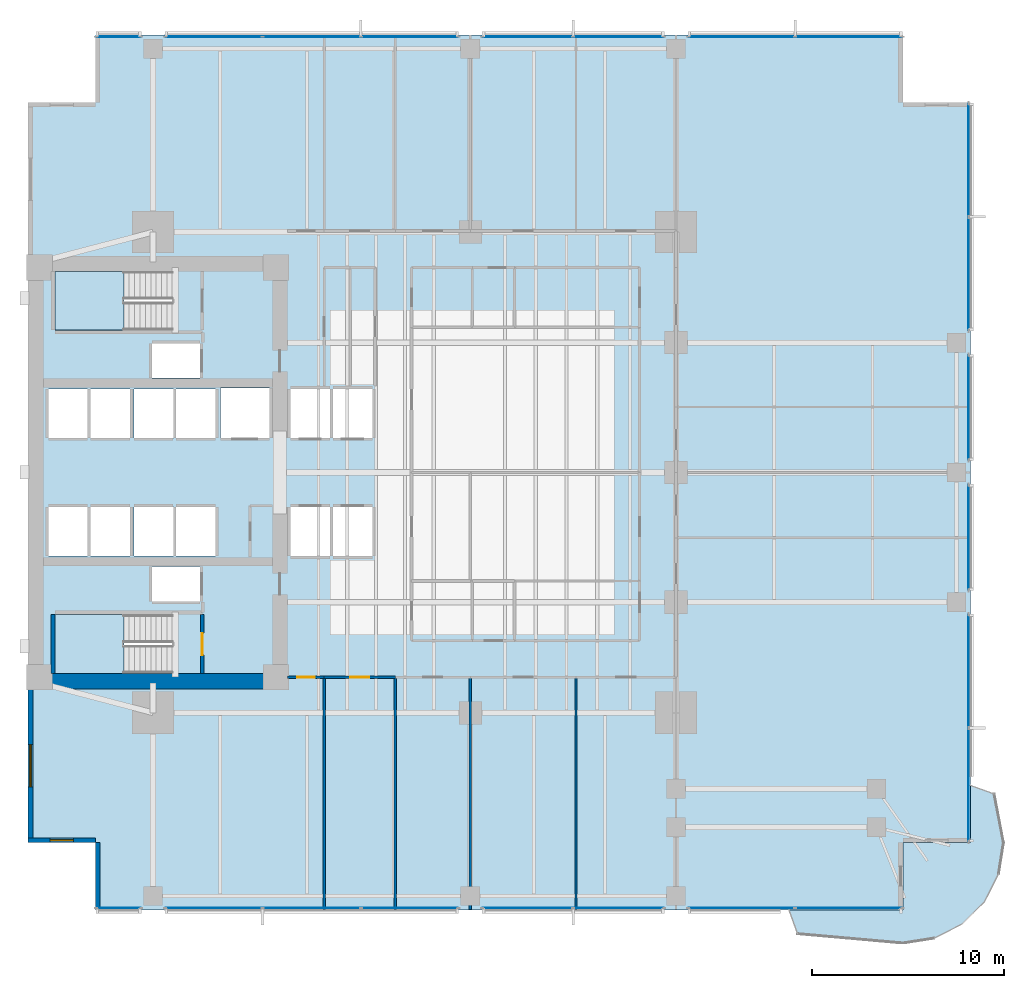
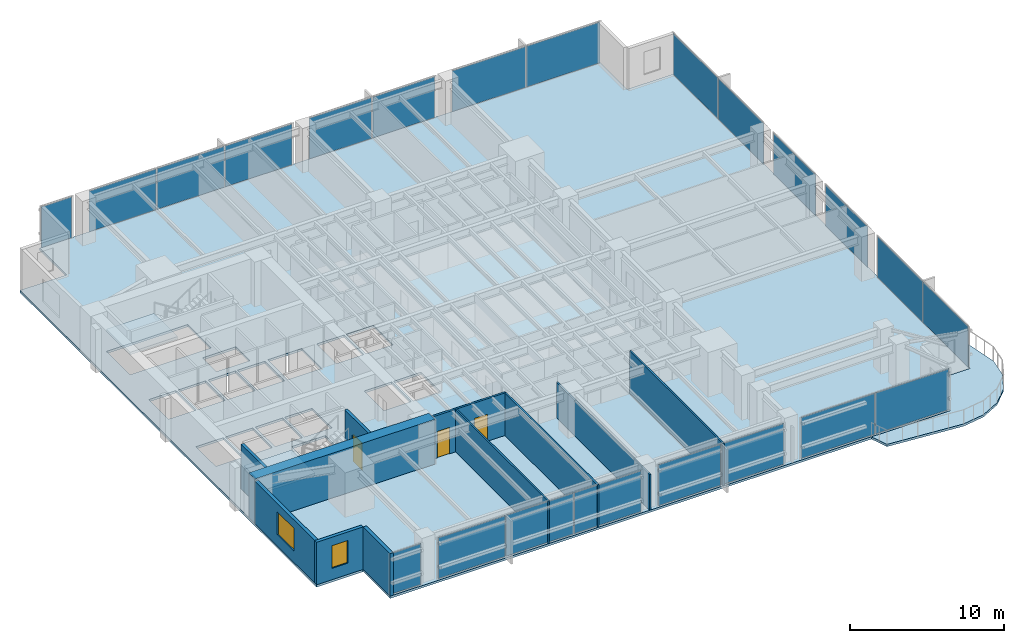
# One storey, part 7 of 15: 22 plates, 12 walls, 4 slabs, 3 doors, 2 windows, 5 openings, 14 elements without a shape of their own.
"""IFC4 building model written with IfcOpenShell, lengths in metres."""

import ifcopenshell
import ifcopenshell.guid

model = None  # the IFC model being written
_history = None  # IfcOwnerHistory: only IFC2X3 demands one
_inside = {}  # id of a spatial element -> (the spatial element, [elements in it])
_under = {}  # id of a project, library or spatial element -> (it, [spatial elements below it])
_declared = {}  # id of a project -> (the project, [libraries it declares])
_typed = {}  # id of a type object -> (the type object, [elements of that type])
_made_of = {}  # id of a material, layer set ... -> (it, [elements and type objects made of it])


def new_model(schema):
    """Start an empty IFC model of exactly this schema.

    Asked for "IFC4X3", IfcOpenShell would pick the latest addendum, in which some entities
    have other attributes; the version numbers below select the first issue.
    IFC2X3 requires an IfcOwnerHistory on every rooted entity: one is made here for all.
    """
    global model, _history
    if schema == "IFC4X3":
        model = ifcopenshell.file(schema_version=(4, 3, 0, 0))
    else:
        model = ifcopenshell.file(schema=schema)
    _inside.clear()
    _under.clear()
    _declared.clear()
    _typed.clear()
    _made_of.clear()
    _history = None
    if model.schema == "IFC2X3":
        org = make("IfcOrganization", Name="unknown")
        user = make(
            "IfcPersonAndOrganization",
            ThePerson=make("IfcPerson", FamilyName="unknown"),
            TheOrganization=org,
        )
        app = make(
            "IfcApplication",
            ApplicationDeveloper=org,
            Version="unknown",
            ApplicationFullName="unknown",
            ApplicationIdentifier="unknown",
        )
        _history = make(
            "IfcOwnerHistory",
            OwningUser=user,
            OwningApplication=app,
            ChangeAction="ADDED",
            CreationDate=0,
        )
    return model


def make(cls, **values):
    """One entity of the class cls with the attributes given. An attribute that is None is left unset."""
    return model.create_entity(
        cls, **{name: value for name, value in values.items() if value is not None}
    )


def rooted(cls, **values):
    """An entity with a GlobalId (a new one), such as an element, a storey or a relation."""
    return make(cls, GlobalId=ifcopenshell.guid.new(), OwnerHistory=_history, **values)


def si_unit(unit_type, name, prefix=None):
    """IfcSIUnit, for example si_unit("LENGTHUNIT", "METRE", prefix="MILLI")."""
    return make("IfcSIUnit", UnitType=unit_type, Prefix=prefix, Name=name)


def assignment(units):
    """IfcUnitAssignment: the units of a project."""
    return None if units is None else make("IfcUnitAssignment", Units=units)


def point(xyz):
    """IfcCartesianPoint."""
    return None if xyz is None else make("IfcCartesianPoint", Coordinates=xyz)


def direction(xyz):
    """IfcDirection."""
    return None if xyz is None else make("IfcDirection", DirectionRatios=xyz)


def frame(location, z_axis=None, x_axis=None):
    """IfcAxis2Placement3D, a coordinate frame: its origin and axes. An axis left out is left unset."""
    return make(
        "IfcAxis2Placement3D",
        Location=point(location),
        Axis=direction(z_axis),
        RefDirection=direction(x_axis),
    )


def frame_2d(location, x_axis=None):
    """IfcAxis2Placement2D, a coordinate frame in the plane: its origin and x axis."""
    return make(
        "IfcAxis2Placement2D", Location=point(location), RefDirection=direction(x_axis)
    )


def origin():
    """The frame at (0, 0, 0) with its axes left unset."""
    return frame((0.0, 0.0, 0.0))


def origin_2d():
    """The frame at (0, 0) in the plane with its x axis left unset."""
    return frame_2d((0.0, 0.0))


def place(relative_to, where):
    """IfcLocalPlacement: puts the frame where relative to a parent placement (None: the world)."""
    return make(
        "IfcLocalPlacement", PlacementRelTo=relative_to, RelativePlacement=where
    )


def context(
    kind, dimensions, precision=None, world=None, true_north=None, identifier=None
):
    """IfcGeometricRepresentationContext, for example the 3D "Model" context."""
    return make(
        "IfcGeometricRepresentationContext",
        ContextIdentifier=identifier,
        ContextType=kind,
        CoordinateSpaceDimension=dimensions,
        Precision=precision,
        WorldCoordinateSystem=world,
        TrueNorth=true_north,
    )


def subcontext(parent, identifier, kind, view, scale=None):
    """IfcGeometricRepresentationSubContext, for example "Body" below "Model"."""
    return make(
        "IfcGeometricRepresentationSubContext",
        ContextIdentifier=identifier,
        ContextType=kind,
        ParentContext=parent,
        TargetScale=scale,
        TargetView=view,
    )


def project(units=None, contexts=None):
    """IfcProject with its units and contexts."""
    return rooted(
        "IfcProject",
        Name="project",
        RepresentationContexts=contexts,
        UnitsInContext=assignment(units),
    )


def spatial(cls, under=None, at=None, **own):
    """A site, building, storey or space (cls), placed at a placement, below another one or the project."""
    s = rooted(cls, ObjectPlacement=at, **own)
    if under is not None:
        _under.setdefault(under.id(), (under, []))[1].append(s)
    return s


def polyline(points):
    """IfcPolyline through the points."""
    return make("IfcPolyline", Points=[point(p) for p in points])


def profile(cls, at=None, kind="AREA", **sizes):
    """A parametric profile (cls). Its sizes go by their IFC names, for example OverallWidth=200.0."""
    return make(cls, ProfileType=kind, Position=at, **sizes)


def rectangle(**sizes):
    """IfcRectangleProfileDef."""
    return profile("IfcRectangleProfileDef", **sizes)


def outline(outer, holes=None, kind="AREA"):
    """IfcArbitraryClosedProfileDef: a profile drawn as a closed curve; with holes, ...WithVoids."""
    if holes is None:
        return make("IfcArbitraryClosedProfileDef", ProfileType=kind, OuterCurve=outer)
    return make(
        "IfcArbitraryProfileDefWithVoids",
        ProfileType=kind,
        OuterCurve=outer,
        InnerCurves=holes,
    )


def extrude(swept, where, along, depth):
    """IfcExtrudedAreaSolid: the profile swept, set in the frame where, extruded along a direction by depth."""
    return make(
        "IfcExtrudedAreaSolid",
        SweptArea=swept,
        Position=where,
        ExtrudedDirection=direction(along),
        Depth=depth,
    )


def shape(context_of_items, identifier, shape_type, items):
    """IfcShapeRepresentation: the items that make up one representation, for example the "Body"."""
    return make(
        "IfcShapeRepresentation",
        ContextOfItems=context_of_items,
        RepresentationIdentifier=identifier,
        RepresentationType=shape_type,
        Items=items,
    )


def material(Name=None, Category=None):
    """IfcMaterial."""
    return make("IfcMaterial", Name=Name, Category=Category)


def layer(
    of_material, thickness, ventilated=None, Name=None, Category=None, Priority=None
):
    """IfcMaterialLayer: one layer of a wall or slab, of a material (None: an air gap)."""
    return make(
        "IfcMaterialLayer",
        Material=of_material,
        LayerThickness=thickness,
        IsVentilated=ventilated,
        Name=Name,
        Category=Category,
        Priority=Priority,
    )


def layer_set(layers, Name=None):
    """IfcMaterialLayerSet."""
    return make("IfcMaterialLayerSet", MaterialLayers=layers, LayerSetName=Name)


def made_of(thing, what):
    """Note that an element or type object is made of a material, layer set ...; save() writes the relation."""
    if what is not None:
        _made_of.setdefault(what.id(), (what, []))[1].append(thing)
    return thing


def type_object(cls, material=None, **own):
    """A type object (cls), such as IfcWallType, which elements share."""
    return made_of(rooted(cls, **own), material)


def element(
    cls,
    number,
    at=None,
    inside=None,
    cuts=None,
    type_object=None,
    material=None,
    context=None,
    identifier="Body",
    shape_type=None,
    held_by="IfcProductDefinitionShape",
    body=None,
    shapes=None,
    **own,
):
    """One element of the class cls, such as IfcWall. Its Tag is "e" and its number.

    at: its placement. inside: the storey or other place that contains it. cuts: it is an
    opening in that element (IfcRelVoidsElement). A single representation is given by context,
    identifier, shape_type and body (its items); several are given by shapes. held_by: the class
    of the entity that holds the representations. save() writes the other relations.
    """
    e = rooted(cls, Tag="e%d" % number, ObjectPlacement=at, **own)
    if body is not None:
        shapes = [shape(context, identifier, shape_type, body)]
    if shapes is not None:
        e.Representation = make(held_by, Representations=shapes)
    if inside is not None:
        _inside.setdefault(inside.id(), (inside, []))[1].append(e)
    if cuts is not None:
        rooted(
            "IfcRelVoidsElement", RelatingBuildingElement=cuts, RelatedOpeningElement=e
        )
    if type_object is not None:
        _typed.setdefault(type_object.id(), (type_object, []))[1].append(e)
    return made_of(e, material)


def fill(opening, filler):
    """IfcRelFillsElement: the door or window that sits in an opening."""
    return rooted(
        "IfcRelFillsElement",
        RelatingOpeningElement=opening,
        RelatedBuildingElement=filler,
    )


def aggregate(whole, parts):
    """IfcRelAggregates: a whole, such as a stair, and the parts it consists of."""
    return rooted("IfcRelAggregates", RelatingObject=whole, RelatedObjects=parts)


def save(model, path):
    """Write the relations noted so far, then the file.

    IfcRelAggregates (storeys below a building ...), IfcRelContainedInSpatialStructure (elements
    in a storey), IfcRelDefinesByType, IfcRelAssociatesMaterial and IfcRelDeclares: one each for
    every whole, place, type object, material and project.
    """
    for whole, parts in _under.values():
        aggregate(whole, parts)
    for where, things in _inside.values():
        rooted(
            "IfcRelContainedInSpatialStructure",
            RelatedElements=things,
            RelatingStructure=where,
        )
    for kind, things in _typed.values():
        rooted("IfcRelDefinesByType", RelatedObjects=things, RelatingType=kind)
    for what, things in _made_of.values():
        rooted("IfcRelAssociatesMaterial", RelatedObjects=things, RelatingMaterial=what)
    for by, libraries in _declared.values():
        rooted("IfcRelDeclares", RelatingContext=by, RelatedDefinitions=libraries)
    model.write(path)


model = new_model("IFC4")

# Units and contexts
model_context = context("Model", 3, precision=1e-05, world=origin(), true_north=direction((0.0, 1.0)))
body_context = subcontext(model_context, "Body", "Model", "MODEL_VIEW")
ifc_project = project(units=[si_unit("LENGTHUNIT", "METRE"), si_unit("AREAUNIT", "SQUARE_METRE"), si_unit("VOLUMEUNIT", "CUBIC_METRE"), si_unit("PLANEANGLEUNIT", "RADIAN"), si_unit("MASSUNIT", "GRAM", prefix="KILO")], contexts=[model_context])

# Site, building, storey
site_placement = place(None, origin())
site = spatial("IfcSite", under=ifc_project, at=site_placement, CompositionType="ELEMENT")
building_placement = place(site_placement, origin())
building = spatial("IfcBuilding", under=site, at=building_placement, Name="Kinhvarn Gate Tower", CompositionType="ELEMENT")
storey_placement = place(building_placement, frame((0.0, 0.0, 57.550048828125)))
storey = spatial("IfcBuildingStorey", under=building, at=storey_placement, Name="L14", CompositionType="ELEMENT", Elevation=57.550048828125)

# Curtain wall, plate
ifc_material_1 = material(Name="Anodised aluminium AW-6063", Category="aluminium")
ifc_layer_1 = layer(ifc_material_1, 0.179931640625)
ifc_layer_set_1 = layer_set([ifc_layer_1], Name="Anodised aluminium AW-6063")
curtain_wall_type = type_object("IfcCurtainWallType", Name="CW-SYS-2", PredefinedType="NOTDEFINED", material=ifc_layer_set_1)
curtain_wall_1_placement = place(storey_placement, origin())
curtain_wall_1 = element("IfcCurtainWall", 1, at=curtain_wall_1_placement, inside=storey, type_object=curtain_wall_type, Name="Curtain Wall CW2 (L14)", PredefinedType="NOTDEFINED")
ifc_material_2 = material(Name="Clear low-e double glazing", Category="glass")
ifc_layer_2 = layer(ifc_material_2, 0.031982421875)
ifc_layer_set_2 = layer_set([ifc_layer_2], Name="Clear low-e double glazing")
plate_type = type_object("IfcPlateType", Name="CW-PNL-VIS", PredefinedType="CURTAIN_PANEL", material=ifc_layer_set_2)
plate_1_placement = place(storey_placement, frame((9.2099609375, 2.590087890625, 0.070068359375), z_axis=(0.0, 0.0, 1.0), x_axis=(1.0, 0.0, 0.0)))
plate_1 = element("IfcPlate", 2, at=plate_1_placement, type_object=plate_type, Name="CW2 panel 1.1", PredefinedType="CURTAIN_PANEL", context=body_context, shape_type="SweptSolid", body=[
    extrude(rectangle(XDim=2.280029296875, YDim=0.031982421875, at=origin_2d()), origin(), (0.0, 0.0, 1.0), 3.22998046875),
])
aggregate(curtain_wall_1, [plate_1])

# Curtain wall, plates
curtain_wall_2_placement = place(storey_placement, origin())
curtain_wall_2 = element("IfcCurtainWall", 3, at=curtain_wall_2_placement, inside=storey, type_object=curtain_wall_type, Name="Curtain Wall CW2 (L14)", PredefinedType="NOTDEFINED")
plate_2_placement = place(storey_placement, frame((14.154052734375, 2.590087890625, 0.070068359375), z_axis=(0.0, 0.0, 1.0), x_axis=(1.0, 0.0, 0.0)))
plate_2 = element("IfcPlate", 4, at=plate_2_placement, type_object=plate_type, Name="CW2 panel 1.1", PredefinedType="CURTAIN_PANEL", context=body_context, shape_type="SweptSolid", body=[
    extrude(rectangle(XDim=5.00830078125, YDim=0.031982421875, at=origin_2d()), origin(), (0.0, 0.0, 1.0), 3.22998046875),
])
plate_3_placement = place(storey_placement, frame((19.25, 2.590087890625, 0.070068359375), z_axis=(0.0, 0.0, 1.0), x_axis=(1.0, 0.0, 0.0)))
plate_3 = element("IfcPlate", 5, at=plate_3_placement, type_object=plate_type, Name="CW2 panel 2.1", PredefinedType="CURTAIN_PANEL", context=body_context, shape_type="SweptSolid", body=[
    extrude(rectangle(XDim=5.043212890625, YDim=0.031982421875, at=origin_2d()), origin(), (0.0, 0.0, 1.0), 3.22998046875),
])
plate_4_placement = place(storey_placement, frame((24.345947265625, 2.590087890625, 0.070068359375), z_axis=(0.0, 0.0, 1.0), x_axis=(1.0, 0.0, 0.0)))
plate_4 = element("IfcPlate", 6, at=plate_4_placement, type_object=plate_type, Name="CW2 panel 3.1", PredefinedType="CURTAIN_PANEL", context=body_context, shape_type="SweptSolid", body=[
    extrude(rectangle(XDim=5.00830078125, YDim=0.031982421875, at=origin_2d()), origin(), (0.0, 0.0, 1.0), 3.22998046875),
])
aggregate(curtain_wall_2, [plate_2, plate_3, plate_4])

curtain_wall_3_placement = place(storey_placement, origin())
curtain_wall_3 = element("IfcCurtainWall", 7, at=curtain_wall_3_placement, inside=storey, type_object=curtain_wall_type, Name="Curtain Wall CW2 (L14)", PredefinedType="NOTDEFINED")
plate_5_placement = place(storey_placement, frame((30.482421875, 2.590087890625, 0.070068359375), z_axis=(0.0, 0.0, 1.0), x_axis=(1.0, 0.0, 0.0)))
plate_5 = element("IfcPlate", 8, at=plate_5_placement, type_object=plate_type, Name="CW2 panel 1.1", PredefinedType="CURTAIN_PANEL", context=body_context, shape_type="SweptSolid", body=[
    extrude(rectangle(XDim=4.6650390625, YDim=0.031982421875, at=origin_2d()), origin(), (0.0, 0.0, 1.0), 3.22998046875),
])
plate_6_placement = place(storey_placement, frame((35.217529296875, 2.590087890625, 0.070068359375), z_axis=(0.0, 0.0, 1.0), x_axis=(1.0, 0.0, 0.0)))
plate_6 = element("IfcPlate", 9, at=plate_6_placement, type_object=plate_type, Name="CW2 panel 2.1", PredefinedType="CURTAIN_PANEL", context=body_context, shape_type="SweptSolid", body=[
    extrude(rectangle(XDim=4.6650390625, YDim=0.031982421875, at=origin_2d()), origin(), (0.0, 0.0, 1.0), 3.22998046875),
])
aggregate(curtain_wall_3, [plate_5, plate_6])

curtain_wall_4_placement = place(storey_placement, origin())
curtain_wall_4 = element("IfcCurtainWall", 10, at=curtain_wall_4_placement, inside=storey, type_object=curtain_wall_type, Name="Curtain Wall CW2 (L14)", PredefinedType="NOTDEFINED")
plate_7_placement = place(storey_placement, frame((41.6025390625, 2.590087890625, 0.070068359375), z_axis=(0.0, 0.0, 1.0), x_axis=(1.0, 0.0, 0.0)))
plate_7 = element("IfcPlate", 11, at=plate_7_placement, type_object=plate_type, Name="CW2 panel 1.1", PredefinedType="CURTAIN_PANEL", context=body_context, shape_type="SweptSolid", body=[
    extrude(rectangle(XDim=5.5048828125, YDim=0.031982421875, at=origin_2d()), origin(), (0.0, 0.0, 1.0), 3.22998046875),
])
plate_8_placement = place(storey_placement, frame((47.177490234375, 2.590087890625, 0.070068359375), z_axis=(0.0, 0.0, 1.0), x_axis=(1.0, 0.0, 0.0)))
plate_8 = element("IfcPlate", 12, at=plate_8_placement, type_object=plate_type, Name="CW2 panel 2.1", PredefinedType="CURTAIN_PANEL", context=body_context, shape_type="SweptSolid", body=[
    extrude(rectangle(XDim=5.5048828125, YDim=0.031982421875, at=origin_2d()), origin(), (0.0, 0.0, 1.0), 3.22998046875),
])
aggregate(curtain_wall_4, [plate_7, plate_8])

curtain_wall_5_placement = place(storey_placement, origin())
curtain_wall_5 = element("IfcCurtainWall", 13, at=curtain_wall_5_placement, inside=storey, type_object=curtain_wall_type, Name="Curtain Wall CW2 (L14)", PredefinedType="NOTDEFINED")
plate_9_placement = place(storey_placement, frame((47.177490234375, 47.909912109375, 0.070068359375), z_axis=(0.0, 0.0, 1.0), x_axis=(-1.0, 0.0, 0.0)))
plate_9 = element("IfcPlate", 14, at=plate_9_placement, type_object=plate_type, Name="CW2 panel 1.1", PredefinedType="CURTAIN_PANEL", context=body_context, shape_type="SweptSolid", body=[
    extrude(rectangle(XDim=5.5048828125, YDim=0.031982421875, at=origin_2d()), origin(), (0.0, 0.0, 1.0), 3.22998046875),
])
plate_10_placement = place(storey_placement, frame((41.6025390625, 47.909912109375, 0.070068359375), z_axis=(0.0, 0.0, 1.0), x_axis=(-1.0, 0.0, 0.0)))
plate_10 = element("IfcPlate", 15, at=plate_10_placement, type_object=plate_type, Name="CW2 panel 2.1", PredefinedType="CURTAIN_PANEL", context=body_context, shape_type="SweptSolid", body=[
    extrude(rectangle(XDim=5.5048828125, YDim=0.031982421875, at=origin_2d()), origin(), (0.0, 0.0, 1.0), 3.22998046875),
])
aggregate(curtain_wall_5, [plate_9, plate_10])

curtain_wall_6_placement = place(storey_placement, origin())
curtain_wall_6 = element("IfcCurtainWall", 16, at=curtain_wall_6_placement, inside=storey, type_object=curtain_wall_type, Name="Curtain Wall CW2 (L14)", PredefinedType="NOTDEFINED")
plate_11_placement = place(storey_placement, frame((35.217529296875, 47.909912109375, 0.070068359375), z_axis=(0.0, 0.0, 1.0), x_axis=(-1.0, 0.0, 0.0)))
plate_11 = element("IfcPlate", 17, at=plate_11_placement, type_object=plate_type, Name="CW2 panel 1.1", PredefinedType="CURTAIN_PANEL", context=body_context, shape_type="SweptSolid", body=[
    extrude(rectangle(XDim=4.6650390625, YDim=0.031982421875, at=origin_2d()), origin(), (0.0, 0.0, 1.0), 3.22998046875),
])
plate_12_placement = place(storey_placement, frame((30.482421875, 47.909912109375, 0.070068359375), z_axis=(0.0, 0.0, 1.0), x_axis=(-1.0, 0.0, 0.0)))
plate_12 = element("IfcPlate", 18, at=plate_12_placement, type_object=plate_type, Name="CW2 panel 2.1", PredefinedType="CURTAIN_PANEL", context=body_context, shape_type="SweptSolid", body=[
    extrude(rectangle(XDim=4.6650390625, YDim=0.031982421875, at=origin_2d()), origin(), (0.0, 0.0, 1.0), 3.22998046875),
])
aggregate(curtain_wall_6, [plate_11, plate_12])

curtain_wall_7_placement = place(storey_placement, origin())
curtain_wall_7 = element("IfcCurtainWall", 19, at=curtain_wall_7_placement, inside=storey, type_object=curtain_wall_type, Name="Curtain Wall CW2 (L14)", PredefinedType="NOTDEFINED")
plate_13_placement = place(storey_placement, frame((24.345947265625, 47.909912109375, 0.070068359375), z_axis=(0.0, 0.0, 1.0), x_axis=(-1.0, 0.0, 0.0)))
plate_13 = element("IfcPlate", 20, at=plate_13_placement, type_object=plate_type, Name="CW2 panel 1.1", PredefinedType="CURTAIN_PANEL", context=body_context, shape_type="SweptSolid", body=[
    extrude(rectangle(XDim=5.00830078125, YDim=0.031982421875, at=origin_2d()), origin(), (0.0, 0.0, 1.0), 3.22998046875),
])
plate_14_placement = place(storey_placement, frame((19.25, 47.909912109375, 0.070068359375), z_axis=(0.0, 0.0, 1.0), x_axis=(-1.0, 0.0, 0.0)))
plate_14 = element("IfcPlate", 21, at=plate_14_placement, type_object=plate_type, Name="CW2 panel 2.1", PredefinedType="CURTAIN_PANEL", context=body_context, shape_type="SweptSolid", body=[
    extrude(rectangle(XDim=5.043212890625, YDim=0.031982421875, at=origin_2d()), origin(), (0.0, 0.0, 1.0), 3.22998046875),
])
plate_15_placement = place(storey_placement, frame((14.154052734375, 47.909912109375, 0.070068359375), z_axis=(0.0, 0.0, 1.0), x_axis=(-1.0, 0.0, 0.0)))
plate_15 = element("IfcPlate", 22, at=plate_15_placement, type_object=plate_type, Name="CW2 panel 3.1", PredefinedType="CURTAIN_PANEL", context=body_context, shape_type="SweptSolid", body=[
    extrude(rectangle(XDim=5.00830078125, YDim=0.031982421875, at=origin_2d()), origin(), (0.0, 0.0, 1.0), 3.22998046875),
])
aggregate(curtain_wall_7, [plate_13, plate_14, plate_15])

# Curtain wall, plate
curtain_wall_8_placement = place(storey_placement, origin())
curtain_wall_8 = element("IfcCurtainWall", 23, at=curtain_wall_8_placement, inside=storey, type_object=curtain_wall_type, Name="Curtain Wall CW2 (L14)", PredefinedType="NOTDEFINED")
plate_16_placement = place(storey_placement, frame((9.2099609375, 47.909912109375, 0.070068359375), z_axis=(0.0, 0.0, 1.0), x_axis=(-1.0, 0.0, 0.0)))
plate_16 = element("IfcPlate", 24, at=plate_16_placement, type_object=plate_type, Name="CW2 panel 1.1", PredefinedType="CURTAIN_PANEL", context=body_context, shape_type="SweptSolid", body=[
    extrude(rectangle(XDim=2.280029296875, YDim=0.031982421875, at=origin_2d()), origin(), (0.0, 0.0, 1.0), 3.22998046875),
])
aggregate(curtain_wall_8, [plate_16])

# Curtain wall, plates
curtain_wall_9_placement = place(storey_placement, origin())
curtain_wall_9 = element("IfcCurtainWall", 25, at=curtain_wall_9_placement, inside=storey, type_object=curtain_wall_type, Name="Curtain Wall CW2 (L14)", PredefinedType="NOTDEFINED")
plate_17_placement = place(storey_placement, frame((53.409912109375, 8.99755859375, 0.070068359375), z_axis=(0.0, 0.0, 1.0), x_axis=(0.0, 1.0, 0.0)))
plate_17 = element("IfcPlate", 26, at=plate_17_placement, type_object=plate_type, Name="CW2 panel 1.1", PredefinedType="CURTAIN_PANEL", context=body_context, shape_type="SweptSolid", body=[
    extrude(rectangle(XDim=5.85498046875, YDim=0.031982421875, at=origin_2d()), origin(), (0.0, 0.0, 1.0), 3.22998046875),
])
plate_18_placement = place(storey_placement, frame((53.409912109375, 14.922607421875, 0.070068359375), z_axis=(0.0, 0.0, 1.0), x_axis=(0.0, 1.0, 0.0)))
plate_18 = element("IfcPlate", 27, at=plate_18_placement, type_object=plate_type, Name="CW2 panel 2.1", PredefinedType="CURTAIN_PANEL", context=body_context, shape_type="SweptSolid", body=[
    extrude(rectangle(XDim=5.85498046875, YDim=0.031982421875, at=origin_2d()), origin(), (0.0, 0.0, 1.0), 3.22998046875),
])
aggregate(curtain_wall_9, [plate_17, plate_18])

# Curtain wall, plate
curtain_wall_10_placement = place(storey_placement, origin())
curtain_wall_10 = element("IfcCurtainWall", 28, at=curtain_wall_10_placement, inside=storey, type_object=curtain_wall_type, Name="Curtain Wall CW2 (L14)", PredefinedType="NOTDEFINED")
plate_19_placement = place(storey_placement, frame((53.409912109375, 21.875, 0.070068359375), z_axis=(0.0, 0.0, 1.0), x_axis=(0.0, 1.0, 0.0)))
plate_19 = element("IfcPlate", 29, at=plate_19_placement, type_object=plate_type, Name="CW2 panel 1.1", PredefinedType="CURTAIN_PANEL", context=body_context, shape_type="SweptSolid", body=[
    extrude(rectangle(XDim=5.449951171875, YDim=0.031982421875, at=origin_2d()), origin(), (0.0, 0.0, 1.0), 3.22998046875),
])
aggregate(curtain_wall_10, [plate_19])

curtain_wall_11_placement = place(storey_placement, origin())
curtain_wall_11 = element("IfcCurtainWall", 30, at=curtain_wall_11_placement, inside=storey, type_object=curtain_wall_type, Name="Curtain Wall CW2 (L14)", PredefinedType="NOTDEFINED")
plate_20_placement = place(storey_placement, frame((53.409912109375, 28.625, 0.070068359375), z_axis=(0.0, 0.0, 1.0), x_axis=(0.0, 1.0, 0.0)))
plate_20 = element("IfcPlate", 31, at=plate_20_placement, type_object=plate_type, Name="CW2 panel 1.1", PredefinedType="CURTAIN_PANEL", context=body_context, shape_type="SweptSolid", body=[
    extrude(rectangle(XDim=5.449951171875, YDim=0.031982421875, at=origin_2d()), origin(), (0.0, 0.0, 1.0), 3.22998046875),
])
aggregate(curtain_wall_11, [plate_20])

# Curtain wall, plates
curtain_wall_12_placement = place(storey_placement, origin())
curtain_wall_12 = element("IfcCurtainWall", 32, at=curtain_wall_12_placement, inside=storey, type_object=curtain_wall_type, Name="Curtain Wall CW2 (L14)", PredefinedType="NOTDEFINED")
plate_21_placement = place(storey_placement, frame((53.409912109375, 35.577392578125, 0.070068359375), z_axis=(0.0, 0.0, 1.0), x_axis=(0.0, 1.0, 0.0)))
plate_21 = element("IfcPlate", 33, at=plate_21_placement, type_object=plate_type, Name="CW2 panel 1.1", PredefinedType="CURTAIN_PANEL", context=body_context, shape_type="SweptSolid", body=[
    extrude(rectangle(XDim=5.85498046875, YDim=0.031982421875, at=origin_2d()), origin(), (0.0, 0.0, 1.0), 3.22998046875),
])
plate_22_placement = place(storey_placement, frame((53.409912109375, 41.50244140625, 0.070068359375), z_axis=(0.0, 0.0, 1.0), x_axis=(0.0, 1.0, 0.0)))
plate_22 = element("IfcPlate", 34, at=plate_22_placement, type_object=plate_type, Name="CW2 panel 2.1", PredefinedType="CURTAIN_PANEL", context=body_context, shape_type="SweptSolid", body=[
    extrude(rectangle(XDim=5.85498046875, YDim=0.031982421875, at=origin_2d()), origin(), (0.0, 0.0, 1.0), 3.22998046875),
])
aggregate(curtain_wall_12, [plate_21, plate_22])

# Slabs
ifc_material_3 = material(Name="Precast white architectural concrete C40/50", Category="concrete")
ifc_layer_3 = layer(ifc_material_3, 0.179931640625)
ifc_layer_set_3 = layer_set([ifc_layer_3], Name="Precast white architectural concrete C40/50")
slab_type_1 = type_object("IfcSlabType", Name="SLB-BAL-180", PredefinedType="FLOOR", material=ifc_layer_set_3)
slab_1_placement = place(storey_placement, frame((0.0, 0.0, -0.179931640625)))
element("IfcSlab", 35, at=slab_1_placement, inside=storey, type_object=slab_type_1, Name="S-Carve Curved Terrace Balcony Slab L14 (SE)", PredefinedType="FLOOR", context=body_context, shape_type="SweptSolid", body=[
    extrude(outline(polyline([(44.072998046875, 2.5), (44.52294921875, 1.25439453125), (50.0, 0.77001953125), (51.6162109375, 1.02587890625), (53.07421875, 1.768798828125), (54.231201171875, 2.92578125), (54.97412109375, 4.3837890625), (55.22998046875, 6.0), (54.74560546875, 8.52587890625), (53.5, 8.97607421875), (53.5, 6.0), (50.0, 6.0), (50.0, 2.5), (44.072998046875, 2.5)])), origin(), (0.0, 0.0, 1.0), 0.179931640625),
])
ifc_material_4 = material(Name="Concrete C40/50", Category="concrete")
ifc_layer_4 = layer(ifc_material_4, 0.179931640625)
ifc_layer_set_4 = layer_set([ifc_layer_4], Name="Concrete C40/50")
slab_type_2 = type_object("IfcSlabType", Name="SLB-FLR-180", PredefinedType="FLOOR", material=ifc_layer_set_4)
slab_2_placement = place(storey_placement, frame((0.0, 0.0, -0.179931640625)))
element("IfcSlab", 36, at=slab_2_placement, inside=storey, type_object=slab_type_2, Name="Suspended Floor Slab L14", PredefinedType="FLOOR", context=body_context, shape_type="SweptSolid", body=[
    extrude(outline(polyline([(8.0, 2.5), (50.0, 2.5), (50.0, 6.0), (53.5, 6.0), (53.5, 44.5), (50.0, 44.5), (50.0, 48.0), (8.0, 48.0), (8.0, 44.5), (4.5, 44.5), (4.5, 6.0), (8.0, 6.0), (8.0, 2.5)]), holes=[polyline([(5.89990234375, 14.800048828125), (12.0, 14.800048828125), (12.0, 17.85009765625), (5.89990234375, 17.85009765625), (5.89990234375, 14.800048828125)]), polyline([(5.89990234375, 32.64990234375), (12.0, 32.64990234375), (12.0, 35.699951171875), (5.89990234375, 35.699951171875), (5.89990234375, 32.64990234375)]), polyline([(18.14990234375, 20.89990234375), (20.199951171875, 20.89990234375), (20.199951171875, 23.449951171875), (18.14990234375, 23.449951171875), (18.14990234375, 20.89990234375)]), polyline([(20.35009765625, 20.89990234375), (22.39990234375, 20.89990234375), (22.39990234375, 23.449951171875), (20.35009765625, 23.449951171875), (20.35009765625, 20.89990234375)]), polyline([(18.14990234375, 27.050048828125), (20.199951171875, 27.050048828125), (20.199951171875, 29.60009765625), (18.14990234375, 29.60009765625), (18.14990234375, 27.050048828125)]), polyline([(20.35009765625, 27.050048828125), (22.39990234375, 27.050048828125), (22.39990234375, 29.60009765625), (20.35009765625, 29.60009765625), (20.35009765625, 27.050048828125)]), polyline([(5.550048828125, 20.89990234375), (7.60009765625, 20.89990234375), (7.60009765625, 23.449951171875), (5.550048828125, 23.449951171875), (5.550048828125, 20.89990234375)]), polyline([(7.75, 20.89990234375), (9.800048828125, 20.89990234375), (9.800048828125, 23.449951171875), (7.75, 23.449951171875), (7.75, 20.89990234375)]), polyline([(5.550048828125, 27.050048828125), (7.60009765625, 27.050048828125), (7.60009765625, 29.60009765625), (5.550048828125, 29.60009765625), (5.550048828125, 27.050048828125)]), polyline([(7.75, 27.050048828125), (9.800048828125, 27.050048828125), (9.800048828125, 29.60009765625), (7.75, 29.60009765625), (7.75, 27.050048828125)]), polyline([(10.0, 20.89990234375), (12.050048828125, 20.89990234375), (12.050048828125, 23.449951171875), (10.0, 23.449951171875), (10.0, 20.89990234375)]), polyline([(12.199951171875, 20.89990234375), (14.25, 20.89990234375), (14.25, 23.449951171875), (12.199951171875, 23.449951171875), (12.199951171875, 20.89990234375)]), polyline([(10.0, 27.050048828125), (12.050048828125, 27.050048828125), (12.050048828125, 29.60009765625), (10.0, 29.60009765625), (10.0, 27.050048828125)]), polyline([(12.199951171875, 27.050048828125), (14.25, 27.050048828125), (14.25, 29.60009765625), (12.199951171875, 29.60009765625), (12.199951171875, 27.050048828125)]), polyline([(14.5, 27.050048828125), (17.050048828125, 27.050048828125), (17.050048828125, 29.64990234375), (14.5, 29.64990234375), (14.5, 27.050048828125)]), polyline([(10.949951171875, 18.550048828125), (13.449951171875, 18.550048828125), (13.449951171875, 20.35009765625), (10.949951171875, 20.35009765625), (10.949951171875, 18.550048828125)]), polyline([(10.949951171875, 30.14990234375), (13.449951171875, 30.14990234375), (13.449951171875, 31.949951171875), (10.949951171875, 31.949951171875), (10.949951171875, 30.14990234375)])]), origin(), (0.0, 0.0, 1.0), 0.179931640625),
])

# Stair, slab
stair_type = type_object("IfcStairType", Name="STR-DLG-178", PredefinedType="HALF_TURN_STAIR", material=ifc_material_4)
stair_1_placement = place(storey_placement, origin())
stair_1 = element("IfcStair", 37, at=stair_1_placement, inside=storey, type_object=stair_type, Name="L14 Core Smokeproof Exit Stair ST1", PredefinedType="HALF_TURN_STAIR")
ifc_layer_5 = layer(ifc_material_4, 0.199951171875)
ifc_layer_set_5 = layer_set([ifc_layer_5], Name="Concrete C40/50")
slab_type_3 = type_object("IfcSlabType", Name="SLB-ST-LND", PredefinedType="LANDING", material=ifc_layer_set_5)
slab_3_placement = place(storey_placement, frame((0.0, 0.0, 1.574951171875)))
slab_3 = element("IfcSlab", 38, at=slab_3_placement, type_object=slab_type_3, Name="ST1 landing 1", PredefinedType="LANDING", context=body_context, shape_type="SweptSolid", body=[
    extrude(outline(polyline([(9.47998046875, 17.85009765625), (5.89990234375, 17.85009765625), (5.89990234375, 14.800048828125), (9.47998046875, 14.800048828125), (9.47998046875, 17.85009765625)])), origin(), (0.0, 0.0, 1.0), 0.199951171875),
])
aggregate(stair_1, [slab_3])

stair_2_placement = place(storey_placement, origin())
stair_2 = element("IfcStair", 39, at=stair_2_placement, inside=storey, type_object=stair_type, Name="L14 Core Smokeproof Exit Stair ST2", PredefinedType="HALF_TURN_STAIR")
slab_4_placement = place(storey_placement, frame((0.0, 0.0, 1.574951171875)))
slab_4 = element("IfcSlab", 40, at=slab_4_placement, type_object=slab_type_3, Name="ST2 landing 1", PredefinedType="LANDING", context=body_context, shape_type="SweptSolid", body=[
    extrude(outline(polyline([(9.47998046875, 35.699951171875), (5.89990234375, 35.699951171875), (5.89990234375, 32.64990234375), (9.47998046875, 32.64990234375), (9.47998046875, 35.699951171875)])), origin(), (0.0, 0.0, 1.0), 0.199951171875),
])
aggregate(stair_2, [slab_4])

# Wall
ifc_material_5 = material(Name="Concrete C70/85", Category="concrete")
ifc_layer_6 = layer(ifc_material_5, 0.800048828125)
ifc_layer_set_6 = layer_set([ifc_layer_6], Name="Concrete C70/85")
wall_type_1 = type_object("IfcWallType", Name="WL-CORE-800", PredefinedType="SHEAR", material=ifc_layer_set_6)
wall_1_placement = place(storey_placement, frame((4.5, 14.39990234375, 0.0), z_axis=(0.0, 0.0, 1.0), x_axis=(1.0, 0.0, 0.0)))
element("IfcWall", 41, at=wall_1_placement, inside=storey, type_object=wall_type_1, Name="Core South Shear Wall L14 800 mm", PredefinedType="SHEAR", context=body_context, shape_type="SweptSolid", body=[
    extrude(rectangle(XDim=13.5, YDim=0.800048828125, at=frame_2d((6.75, 0.0))), origin(), (0.0, 0.0, 1.0), 3.550048828125),
])

# Wall, opening, window
ifc_material_6 = material(Name="Fired architectural terracotta", Category="masonry")
ifc_layer_7 = layer(ifc_material_6, 0.25)
ifc_layer_set_7 = layer_set([ifc_layer_7], Name="Fired architectural terracotta")
wall_type_2 = type_object("IfcWallType", Name="WL-EXT-250", PredefinedType="SOLIDWALL", material=ifc_layer_set_7)
wall_2_placement = place(storey_placement, frame((4.625, 14.0, 0.0), z_axis=(0.0, 0.0, 1.0), x_axis=(0.0, -1.0, 0.0)))
wall_2 = element("IfcWall", 42, at=wall_2_placement, inside=storey, type_object=wall_type_2, Name="Exterior Solidwall Wall EW-250 (L14 West-South)", PredefinedType="SOLIDWALL", context=body_context, shape_type="SweptSolid", body=[
    extrude(rectangle(XDim=8.0, YDim=0.25, at=frame_2d((4.0, 0.0))), origin(), (0.0, 0.0, 1.0), 3.369873046875),
])
opening_1_placement = place(wall_2_placement, frame((2.89990234375, 0.0, 0.89990234375)))
opening_1 = element("IfcOpeningElement", 43, at=opening_1_placement, cuts=wall_2, Name="Opening WN-01", PredefinedType="OPENING", context=body_context, shape_type="SweptSolid", body=[
    extrude(rectangle(XDim=2.199951171875, YDim=1.800048828125, at=frame_2d((1.10009765625, 0.89990234375))), frame((0.0, 0.135009765625, 0.0), z_axis=(0.0, -1.0, 0.0), x_axis=(1.0, 0.0, 0.0)), (0.0, 0.0, 1.0), 0.27001953125),
])
window_type_1 = type_object("IfcWindowType", Name="WIN-RIB-2200", PartitioningType="SINGLE_PANEL", PredefinedType="WINDOW", material=ifc_material_2)
window_1_placement = place(opening_1_placement, origin())
window_1 = element("IfcWindow", 44, at=window_1_placement, inside=storey, type_object=window_type_1, Name="West Flank Double-Glazed Ribbon Window 2200x1800 mm (L14)", OverallHeight=1.800048828125, OverallWidth=2.199951171875, PartitioningType="SINGLE_PANEL", PredefinedType="WINDOW", context=body_context, shape_type="SweptSolid", body=[
    extrude(rectangle(XDim=2.199951171875, YDim=1.800048828125, at=frame_2d((1.10009765625, 0.89990234375))), frame((0.0, 0.030029296875, 0.0), z_axis=(0.0, -1.0, 0.0), x_axis=(1.0, 0.0, 0.0)), (0.0, 0.0, 1.0), 0.06005859375),
])
fill(opening_1, window_1)

wall_3_placement = place(storey_placement, frame((4.5, 6.125, 0.0), z_axis=(0.0, 0.0, 1.0), x_axis=(1.0, 0.0, 0.0)))
wall_3 = element("IfcWall", 45, at=wall_3_placement, inside=storey, type_object=wall_type_2, Name="Exterior Solidwall Wall EW-250 (L14 SW-Notch-1)", PredefinedType="SOLIDWALL", context=body_context, shape_type="SweptSolid", body=[
    extrude(rectangle(XDim=3.5, YDim=0.25, at=frame_2d((1.75, 0.0))), origin(), (0.0, 0.0, 1.0), 3.369873046875),
])
opening_2_placement = place(wall_3_placement, frame((1.14990234375, 0.0, 0.89990234375)))
opening_2 = element("IfcOpeningElement", 46, at=opening_2_placement, cuts=wall_3, Name="Opening WN-02", PredefinedType="OPENING", context=body_context, shape_type="SweptSolid", body=[
    extrude(rectangle(XDim=1.199951171875, YDim=1.800048828125, at=frame_2d((0.60009765625, 0.89990234375))), frame((0.0, 0.135009765625, 0.0), z_axis=(0.0, -1.0, 0.0), x_axis=(1.0, 0.0, 0.0)), (0.0, 0.0, 1.0), 0.27001953125),
])
window_type_2 = type_object("IfcWindowType", Name="WIN-NTC-1200", PartitioningType="SINGLE_PANEL", PredefinedType="WINDOW", material=ifc_material_2)
window_2_placement = place(opening_2_placement, origin())
window_2 = element("IfcWindow", 47, at=window_2_placement, inside=storey, type_object=window_type_2, Name="Recessed Corner Notch Punched Window 1200x1800 mm (L14)", OverallHeight=1.800048828125, OverallWidth=1.199951171875, PartitioningType="SINGLE_PANEL", PredefinedType="WINDOW", context=body_context, shape_type="SweptSolid", body=[
    extrude(rectangle(XDim=1.199951171875, YDim=1.800048828125, at=frame_2d((0.60009765625, 0.89990234375))), frame((0.0, 0.030029296875, 0.0), z_axis=(0.0, -1.0, 0.0), x_axis=(1.0, 0.0, 0.0)), (0.0, 0.0, 1.0), 0.06005859375),
])
fill(opening_2, window_2)

# Walls
wall_4_placement = place(storey_placement, frame((8.125, 6.0, 0.0), z_axis=(0.0, 0.0, 1.0), x_axis=(0.0, -1.0, 0.0)))
element("IfcWall", 48, at=wall_4_placement, inside=storey, type_object=wall_type_2, Name="Exterior Solidwall Wall EW-250 (L14 SW-Notch-2)", PredefinedType="SOLIDWALL", context=body_context, shape_type="SweptSolid", body=[
    extrude(rectangle(XDim=3.5, YDim=0.25, at=frame_2d((1.75, 0.0))), origin(), (0.0, 0.0, 1.0), 3.369873046875),
])
ifc_material_7 = material(Name="Gypsum acoustic partition board")
ifc_layer_8 = layer(ifc_material_7, 0.1201171875)
ifc_layer_set_8 = layer_set([ifc_layer_8], Name="Gypsum acoustic partition board")
wall_type_3 = type_object("IfcWallType", Name="WL-PRT-120", PredefinedType="PARTITIONING", material=ifc_layer_set_8)
for number, where, z_axis, x_axis, name in (
    (49, (19.89990234375, 2.510009765625, 0.0), (0.0, 0.0, 1.0), (0.0, 1.0, 0.0), "Interior Partition PW-120 (L14)"),
    (50, (23.60009765625, 2.510009765625, 0.0), (0.0, 0.0, 1.0), (0.0, 1.0, 0.0), "Interior Partition PW-120 (L14)"),
):
    element("IfcWall", number, at=place(storey_placement, frame(where, z_axis=z_axis, x_axis=x_axis)), inside=storey, type_object=wall_type_3, Name=name, PredefinedType="PARTITIONING", context=body_context, shape_type="SweptSolid", body=[
        extrude(rectangle(XDim=12.090087890625, YDim=0.1201171875, at=frame_2d((6.044921875, 0.0))), origin(), (0.0, 0.0, 1.0), 3.369873046875),
    ])
wall_5_placement = place(storey_placement, frame((27.5, 2.510009765625, 0.0), z_axis=(0.0, 0.0, 1.0), x_axis=(0.0, 1.0, 0.0)))
element("IfcWall", 51, at=wall_5_placement, inside=storey, type_object=wall_type_3, Name="Interior Partition PW-120 (L14)", PredefinedType="PARTITIONING", context=body_context, shape_type="SweptSolid", body=[
    extrude(rectangle(XDim=12.090087890625, YDim=0.1201171875, at=frame_2d((6.044921875, 0.0))), origin(), (0.0, 0.0, 1.0), 2.820068359375),
])
wall_6_placement = place(storey_placement, frame((33.0, 2.510009765625, 0.0), z_axis=(0.0, 0.0, 1.0), x_axis=(0.0, 1.0, 0.0)))
element("IfcWall", 52, at=wall_6_placement, inside=storey, type_object=wall_type_3, Name="Interior Partition PW-120 (L14)", PredefinedType="PARTITIONING", context=body_context, shape_type="SweptSolid", body=[
    extrude(rectangle(XDim=12.090087890625, YDim=0.1201171875, at=frame_2d((6.044921875, 0.0))), origin(), (0.0, 0.0, 1.0), 3.369873046875),
])

# Wall, opening, door
ifc_layer_9 = layer(ifc_material_7, 0.14990234375)
ifc_layer_set_9 = layer_set([ifc_layer_9], Name="Gypsum acoustic partition board")
wall_type_4 = type_object("IfcWallType", Name="WL-PRT-150F", PredefinedType="PARTITIONING", material=ifc_layer_set_9)
wall_7_placement = place(storey_placement, frame((18.0, 14.60009765625, 0.0), z_axis=(0.0, 0.0, 1.0), x_axis=(1.0, 0.0, 0.0)))
wall_7 = element("IfcWall", 53, at=wall_7_placement, inside=storey, type_object=wall_type_4, Name="Interior Partition PW-150F (L14)", PredefinedType="PARTITIONING", context=body_context, shape_type="SweptSolid", body=[
    extrude(rectangle(XDim=1.89990234375, YDim=0.14990234375, at=frame_2d((0.949951171875, 0.0))), origin(), (0.0, 0.0, 1.0), 3.369873046875),
])
opening_3_placement = place(wall_7_placement, frame((0.5, 0.0, 0.0)))
opening_3 = element("IfcOpeningElement", 54, at=opening_3_placement, cuts=wall_7, Name="Opening ID-03", PredefinedType="OPENING", context=body_context, shape_type="SweptSolid", body=[
    extrude(rectangle(XDim=0.89990234375, YDim=2.10009765625, at=frame_2d((0.449951171875, 1.050048828125))), frame((0.0, 0.0849609375, 0.0), z_axis=(0.0, -1.0, 0.0), x_axis=(1.0, 0.0, 0.0)), (0.0, 0.0, 1.0), 0.169921875),
])
door_type_1 = type_object("IfcDoorType", Name="DR-INT-900", OperationType="NOTDEFINED", PredefinedType="DOOR", material=ifc_material_1)
door_1_placement = place(opening_3_placement, origin())
door_1 = element("IfcDoor", 55, at=door_1_placement, inside=storey, type_object=door_type_1, Name="Cellular Office & Restroom Door 900x2100 mm (L14)", OperationType="SINGLE_SWING_RIGHT", OverallHeight=2.10009765625, OverallWidth=0.89990234375, PredefinedType="DOOR", context=body_context, shape_type="SweptSolid", body=[
    extrude(rectangle(XDim=0.89990234375, YDim=2.10009765625, at=frame_2d((0.449951171875, 1.050048828125))), frame((0.0, 0.02490234375, 0.0), z_axis=(0.0, -1.0, 0.0), x_axis=(1.0, 0.0, 0.0)), (0.0, 0.0, 1.0), 0.050048828125),
])
fill(opening_3, door_1)

wall_8_placement = place(storey_placement, frame((19.89990234375, 14.60009765625, 0.0), z_axis=(0.0, 0.0, 1.0), x_axis=(1.0, 0.0, 0.0)))
wall_8 = element("IfcWall", 56, at=wall_8_placement, inside=storey, type_object=wall_type_4, Name="Interior Partition PW-150F (L14)", PredefinedType="PARTITIONING", context=body_context, shape_type="SweptSolid", body=[
    extrude(rectangle(XDim=3.7001953125, YDim=0.14990234375, at=frame_2d((1.85009765625, 0.0))), origin(), (0.0, 0.0, 1.0), 3.369873046875),
])
opening_4_placement = place(wall_8_placement, frame((1.35009765625, 0.0, 0.0)))
opening_4 = element("IfcOpeningElement", 57, at=opening_4_placement, cuts=wall_8, Name="Opening ID-02", PredefinedType="OPENING", context=body_context, shape_type="SweptSolid", body=[
    extrude(rectangle(XDim=1.0, YDim=2.14990234375, at=frame_2d((0.5, 1.074951171875))), frame((0.0, 0.0849609375, 0.0), z_axis=(0.0, -1.0, 0.0), x_axis=(1.0, 0.0, 0.0)), (0.0, 0.0, 1.0), 0.169921875),
])
door_type_2 = type_object("IfcDoorType", Name="DR-INT-1000", OperationType="NOTDEFINED", PredefinedType="DOOR", material=ifc_material_1)
door_2_placement = place(opening_4_placement, origin())
door_2 = element("IfcDoor", 58, at=door_2_placement, inside=storey, type_object=door_type_2, Name="Standard Office & Meeting Room Door 1000x2150 mm (L14)", OperationType="SINGLE_SWING_LEFT", OverallHeight=2.14990234375, OverallWidth=1.0, PredefinedType="DOOR", context=body_context, shape_type="SweptSolid", body=[
    extrude(rectangle(XDim=1.0, YDim=2.14990234375, at=frame_2d((0.5, 1.074951171875))), frame((0.0, 0.02490234375, 0.0), z_axis=(0.0, -1.0, 0.0), x_axis=(1.0, 0.0, 0.0)), (0.0, 0.0, 1.0), 0.050048828125),
])
fill(opening_4, door_2)

# Wall
ifc_layer_10 = layer(ifc_material_4, 0.199951171875)
ifc_layer_set_10 = layer_set([ifc_layer_10], Name="Concrete C40/50")
wall_type_5 = type_object("IfcWallType", Name="WL-SHF-200", PredefinedType="SOLIDWALL", material=ifc_layer_set_10)
wall_9_placement = place(storey_placement, frame((5.7900390625, 14.800048828125, 0.0), z_axis=(0.0, 0.0, 1.0), x_axis=(0.0, 1.0, 0.0)))
element("IfcWall", 59, at=wall_9_placement, inside=storey, type_object=wall_type_5, Name="Stair ST1 West Shaft Wall (L14)", PredefinedType="SOLIDWALL", context=body_context, shape_type="SweptSolid", body=[
    extrude(rectangle(XDim=3.050048828125, YDim=0.199951171875, at=frame_2d((1.52490234375, 0.0))), origin(), (0.0, 0.0, 1.0), 3.550048828125),
])

# Wall, opening, door
wall_10_placement = place(storey_placement, frame((13.56005859375, 14.800048828125, 0.0), z_axis=(0.0, 0.0, 1.0), x_axis=(0.0, 1.0, 0.0)))
wall_10 = element("IfcWall", 60, at=wall_10_placement, inside=storey, type_object=wall_type_5, Name="Stair ST1 East Entry Wall (L14)", PredefinedType="SOLIDWALL", context=body_context, shape_type="SweptSolid", body=[
    extrude(rectangle(XDim=3.050048828125, YDim=0.199951171875, at=frame_2d((1.52490234375, 0.0))), origin(), (0.0, 0.0, 1.0), 3.550048828125),
])
opening_5_placement = place(wall_10_placement, frame((0.949951171875, 0.0, 0.0)))
opening_5 = element("IfcOpeningElement", 61, at=opening_5_placement, cuts=wall_10, Name="Opening FD-01", PredefinedType="OPENING", context=body_context, shape_type="SweptSolid", body=[
    extrude(rectangle(XDim=1.14990234375, YDim=2.14990234375, at=frame_2d((0.574951171875, 1.074951171875))), frame((0.0, 0.10986328125, 0.0), z_axis=(0.0, -1.0, 0.0), x_axis=(1.0, 0.0, 0.0)), (0.0, 0.0, 1.0), 0.219970703125),
])
door_type_3 = type_object("IfcDoorType", Name="DR-ST-1150", OperationType="NOTDEFINED", PredefinedType="DOOR", material=ifc_material_1)
door_3_placement = place(opening_5_placement, origin())
door_3 = element("IfcDoor", 62, at=door_3_placement, inside=storey, type_object=door_type_3, Name="Exit Stair ST1 Fire Door (L14)", OperationType="SINGLE_SWING_RIGHT", OverallHeight=2.14990234375, OverallWidth=1.14990234375, PredefinedType="DOOR", context=body_context, shape_type="SweptSolid", body=[
    extrude(rectangle(XDim=1.14990234375, YDim=2.14990234375, at=frame_2d((0.574951171875, 1.074951171875))), frame((0.0, 0.02490234375, 0.0), z_axis=(0.0, -1.0, 0.0), x_axis=(1.0, 0.0, 0.0)), (0.0, 0.0, 1.0), 0.050048828125),
])
fill(opening_5, door_3)

save(model, "model.ifc")
